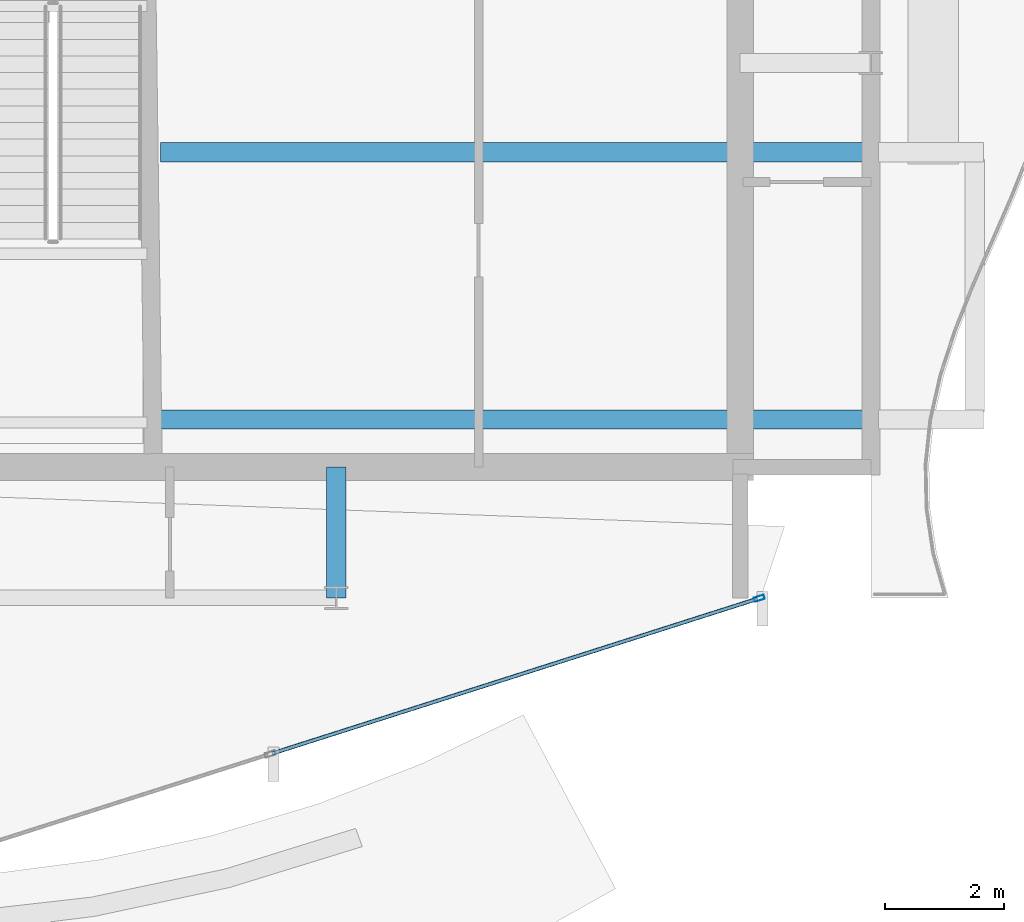
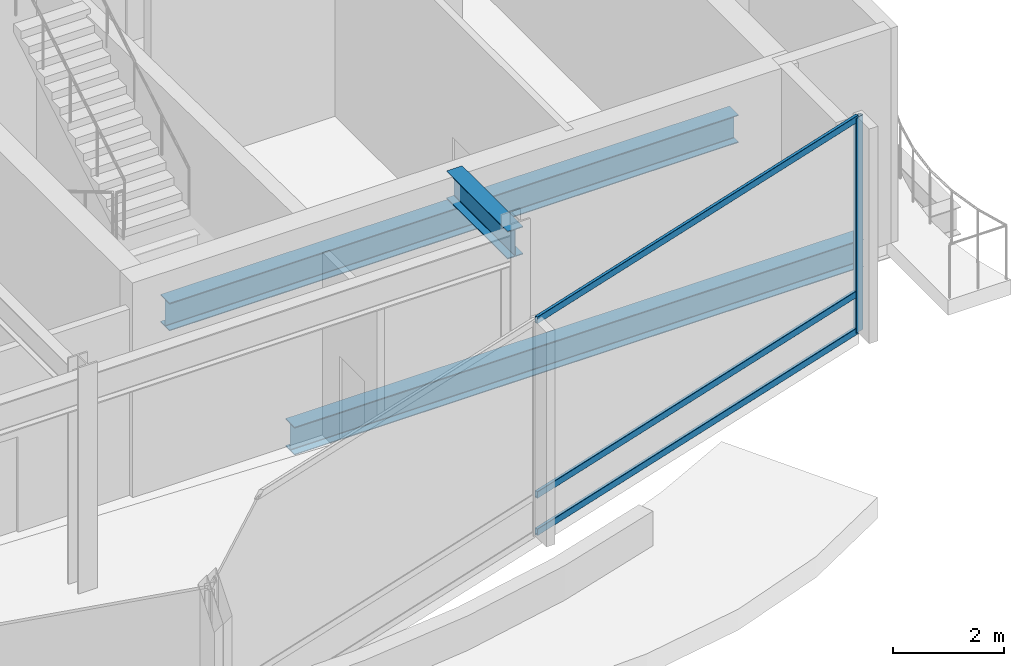
# One storey, part 11 of 23: 4 members, 3 beams, 1 element without a shape of its own.
"""IFC4 building model written with IfcOpenShell, lengths in metres."""

from ifc_helpers import new_model, si_unit, direction, frame, origin, origin_2d, place, context, subcontext, project, spatial, hollow_rectangle, i_section, extrude, material, layer, layer_set, material_profile, profile_set, type_object, element, aggregate, save


model = new_model("IFC4")

# Units and contexts
model_context = context("Model", 3, precision=1e-05, world=origin(), true_north=direction((0.0, 1.0)))
body_context = subcontext(model_context, "Body", "Model", "MODEL_VIEW")
ifc_project = project(units=[si_unit("LENGTHUNIT", "METRE"), si_unit("AREAUNIT", "SQUARE_METRE"), si_unit("VOLUMEUNIT", "CUBIC_METRE"), si_unit("PLANEANGLEUNIT", "RADIAN"), si_unit("MASSUNIT", "GRAM", prefix="KILO")], contexts=[model_context])

# Site, building, storey
site_placement = place(None, origin())
site = spatial("IfcSite", under=ifc_project, at=site_placement, CompositionType="ELEMENT")
building_placement = place(site_placement, origin())
building = spatial("IfcBuilding", under=site, at=building_placement, Name="Solvaryn Broadcast Tower", CompositionType="ELEMENT")
storey_placement = place(building_placement, frame((0.0, 0.0, 235.800048828125)))
storey = spatial("IfcBuildingStorey", under=building, at=storey_placement, Name="L59", CompositionType="ELEMENT", Elevation=235.800048828125)

# Beams
ifc_material_1 = material(Name="Steel ASTM A992 Grade 50", Category="steel")
ifc_material_profile_1 = material_profile(ifc_material_1, i_section(OverallWidth=0.323974609375, OverallDepth=0.611083984375, WebThickness=0.0126953125, FlangeThickness=0.01904296875, FilletRadius=0.014892578125, at=origin_2d()))
ifc_profile_set_1 = profile_set([ifc_material_profile_1], Name="Steel ASTM A992 Grade 50")
beam_type = type_object("IfcBeamType", Name="BM-B1-W24X104", PredefinedType="BEAM", material=ifc_profile_set_1)
for number, where, z_axis, x_axis, name in (
    (1, (33.044921875, 12.0, -0.635498046875), (1.0, 0.0, 0.0), (0.0, 1.0, 0.0), "L59 East Terrace Back-Span Beam Y12.0"),
    (2, (33.044921875, 16.5, -0.635498046875), (1.0, 0.0, 0.0), (0.0, 1.0, 0.0), "L59 East Terrace Back-Span Beam Y16.5"),
):
    element("IfcBeam", number, at=place(storey_placement, frame(where, z_axis=z_axis, x_axis=x_axis)), inside=storey, type_object=beam_type, Name=name, PredefinedType="BEAM", context=body_context, shape_type="SweptSolid", body=[
        extrude(i_section(OverallWidth=0.323974609375, OverallDepth=0.611083984375, WebThickness=0.0126953125, FlangeThickness=0.01904296875, FilletRadius=0.014892578125, at=origin_2d()), origin(), (0.0, 0.0, 1.0), 11.830078125),
    ])
beam_placement = place(storey_placement, frame((36.0, 9.0, 4.41455078125), z_axis=(0.0, 1.0, 0.0), x_axis=(-1.0, 0.0, 0.0)))
element("IfcBeam", 3, at=beam_placement, inside=storey, type_object=beam_type, Name="L59 Core Tie Beam CTE1", PredefinedType="BEAM", context=body_context, shape_type="SweptSolid", body=[
    extrude(i_section(OverallWidth=0.323974609375, OverallDepth=0.611083984375, WebThickness=0.0126953125, FlangeThickness=0.01904296875, FilletRadius=0.014892578125, at=origin_2d()), origin(), (0.0, 0.0, 1.0), 2.199951171875),
])

# Curtain wall, members
ifc_material_2 = material(Name="Aluminium and Terracotta Unitised Curtain Wall", Category="masonry")
ifc_layer = layer(ifc_material_2, 0.25)
ifc_layer_set = layer_set([ifc_layer], Name="CW-SYS4-SKYGARDEN")
curtain_wall_type = type_object("IfcCurtainWallType", Name="CW-SYS4-SKYGARDEN", PredefinedType="NOTDEFINED", material=ifc_layer_set)
curtain_wall_placement = place(storey_placement, origin())
curtain_wall = element("IfcCurtainWall", 4, at=curtain_wall_placement, inside=storey, type_object=curtain_wall_type, Name="L59 Curtain Wall DR4", PredefinedType="NOTDEFINED")
ifc_material_3 = material(Name="Anodised Aluminium 6063-T6", Category="aluminium")
ifc_material_profile_2 = material_profile(ifc_material_3, hollow_rectangle(XDim=0.074951171875, YDim=0.179931640625, WallThickness=0.00390625, InnerFilletRadius=0.00390625, OuterFilletRadius=0.008056640625, at=origin_2d()))
ifc_profile_set_2 = profile_set([ifc_material_profile_2], Name="Anodised Aluminium 6063-T6")
member_type_1 = type_object("IfcMemberType", Name="CW-MUL-180", PredefinedType="MULLION", material=ifc_profile_set_2)
member_1_placement = place(storey_placement, frame((43.120361328125, 8.990966796875, 0.0), z_axis=(0.0, 0.0, 1.0), x_axis=(-0.30361564569, 0.952794594701, 0.0)))
member_1 = element("IfcMember", 5, at=member_1_placement, type_object=member_type_1, Name="CWS4 mullion 3", PredefinedType="MULLION", context=body_context, shape_type="SweptSolid", body=[
    extrude(hollow_rectangle(XDim=0.074951171875, YDim=0.179931640625, WallThickness=0.00390625, InnerFilletRadius=0.00390625, OuterFilletRadius=0.008056640625, at=origin_2d()), origin(), (0.0, 0.0, 1.0), 4.719970703125),
])
ifc_material_4 = material(Name="Anodised Aluminium 6063-T6", Category="aluminium")
ifc_material_profile_3 = material_profile(ifc_material_4, hollow_rectangle(XDim=0.06494140625, YDim=0.14990234375, WallThickness=0.00390625, InnerFilletRadius=0.00390625, OuterFilletRadius=0.008056640625, at=origin_2d()))
ifc_profile_set_3 = profile_set([ifc_material_profile_3], Name="Anodised Aluminium 6063-T6")
member_type_2 = type_object("IfcMemberType", Name="CW-TRN-150", PredefinedType="USERDEFINED", material=ifc_profile_set_3)
member_2_placement = place(storey_placement, frame((34.921142578125, 6.378173828125, 0.030029296875), z_axis=(0.952798944691, 0.303601994388, 0.0), x_axis=(-0.303601994388, 0.952798944691, 0.0)))
member_2 = element("IfcMember", 6, at=member_2_placement, type_object=member_type_2, Name="CWS4 transom 2.1", ObjectType="TRANSOM", PredefinedType="USERDEFINED", context=body_context, shape_type="SweptSolid", body=[
    extrude(hollow_rectangle(XDim=0.06494140625, YDim=0.14990234375, WallThickness=0.00390625, InnerFilletRadius=0.00390625, OuterFilletRadius=0.008056640625, at=origin_2d()), origin(), (0.0, 0.0, 1.0), 8.575439453125),
])
member_3_placement = place(storey_placement, frame((34.921142578125, 6.378173828125, 0.849853515625), z_axis=(0.952798944691, 0.303601994388, 0.0), x_axis=(-0.303601994388, 0.952798944691, 0.0)))
member_3 = element("IfcMember", 7, at=member_3_placement, type_object=member_type_2, Name="CWS4 transom 2.2", ObjectType="TRANSOM", PredefinedType="USERDEFINED", context=body_context, shape_type="SweptSolid", body=[
    extrude(hollow_rectangle(XDim=0.06494140625, YDim=0.14990234375, WallThickness=0.00390625, InnerFilletRadius=0.00390625, OuterFilletRadius=0.008056640625, at=origin_2d()), origin(), (0.0, 0.0, 1.0), 8.575439453125),
])
member_4_placement = place(storey_placement, frame((34.921142578125, 6.378173828125, 4.68994140625), z_axis=(0.952798944691, 0.303601994388, 0.0), x_axis=(-0.303601994388, 0.952798944691, 0.0)))
member_4 = element("IfcMember", 8, at=member_4_placement, type_object=member_type_2, Name="CWS4 transom 2.3", ObjectType="TRANSOM", PredefinedType="USERDEFINED", context=body_context, shape_type="SweptSolid", body=[
    extrude(hollow_rectangle(XDim=0.06494140625, YDim=0.14990234375, WallThickness=0.00390625, InnerFilletRadius=0.00390625, OuterFilletRadius=0.008056640625, at=origin_2d()), origin(), (0.0, 0.0, 1.0), 8.575439453125),
])
aggregate(curtain_wall, [member_1, member_2, member_3, member_4])

save(model, "model.ifc")
